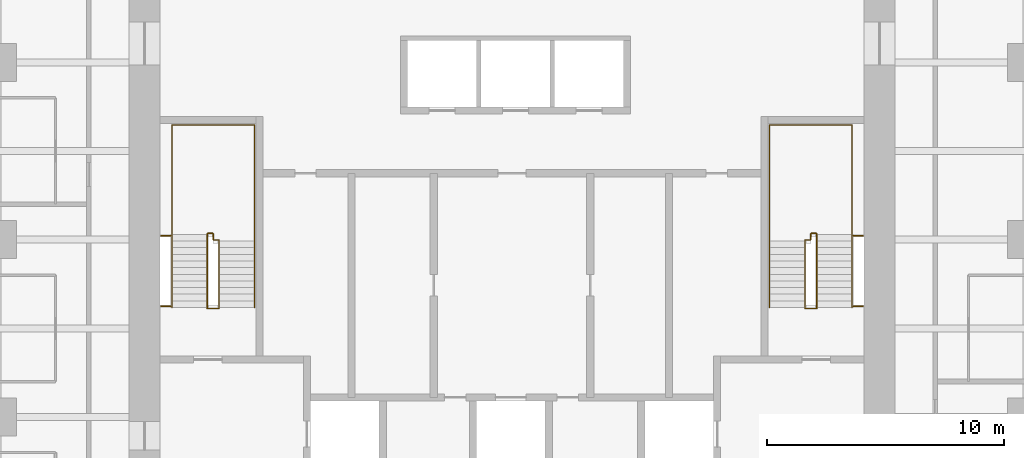
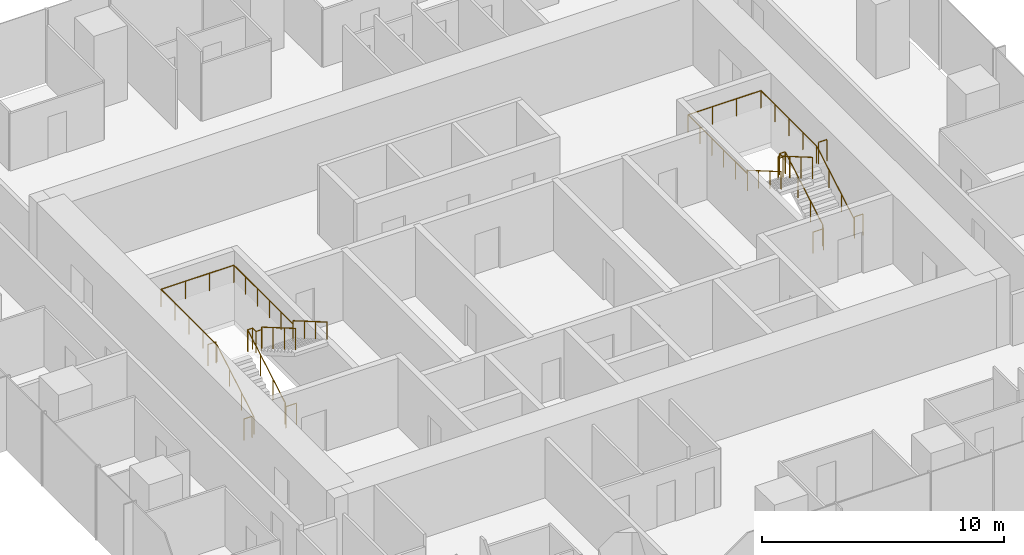
# One storey, part 12 of 12: 8 railings.
"""IFC4 building model written with IfcOpenShell, lengths in metres."""

from ifc_helpers import new_model, si_unit, direction, frame, origin, origin_2d, place, context, subcontext, project, spatial, circle, extrude, material, type_object, element, save


model = new_model("IFC4")

# Units and contexts
model_context = context("Model", 3, precision=1e-05, world=origin(), true_north=direction((0.0, 1.0)))
body_context = subcontext(model_context, "Body", "Model", "MODEL_VIEW")
ifc_project = project(units=[si_unit("LENGTHUNIT", "METRE"), si_unit("AREAUNIT", "SQUARE_METRE"), si_unit("VOLUMEUNIT", "CUBIC_METRE"), si_unit("PLANEANGLEUNIT", "RADIAN"), si_unit("MASSUNIT", "GRAM", prefix="KILO")], contexts=[model_context])

# Site, building, storey
site_placement = place(None, origin())
site = spatial("IfcSite", under=ifc_project, at=site_placement, CompositionType="ELEMENT")
building_placement = place(site_placement, origin())
building = spatial("IfcBuilding", under=site, at=building_placement, Name="Khuree Lantern Residences", CompositionType="ELEMENT")
storey_placement = place(building_placement, frame((0.0, 0.0, 312.0)))
storey = spatial("IfcBuildingStorey", under=building, at=storey_placement, Name="L78", CompositionType="ELEMENT", Elevation=312.0)

# Railings
ifc_material = material(Name="Steel S355", Category="steel")
railing_type_1 = type_object("IfcRailingType", Name="STAIR GUARD G1 1100", PredefinedType="GUARDRAIL", material=ifc_material)
railing_1_placement = place(storey_placement, frame((-12.35009765625, -2.909912109375, 0.0)))
element("IfcRailing", 1, at=railing_1_placement, inside=storey, type_object=railing_type_1, Name="Stair ST1 guard", PredefinedType="GUARDRAIL", context=body_context, shape_type="SweptSolid", body=[
    extrude(circle(Radius=0.02392578125, at=origin_2d()), frame((0.0, 0.0, 1.076171875), z_axis=(-1.0, 0.0, 0.0), x_axis=(0.0, -1.0, 0.0)), (0.0, 0.0, 1.0), 0.5),
    extrude(circle(Radius=0.02392578125, at=origin_2d()), frame((-0.5, 0.0, 1.076171875), z_axis=(0.0, 0.292073035251, 0.95639601739), x_axis=(-1.0, 0.0, 0.0)), (0.0, 0.0, 1.0), 0.17041015625),
    extrude(circle(Radius=0.02392578125, at=origin_2d()), frame((-0.5, 0.0498046875, 1.2392578125), z_axis=(0.0, 0.864176135923, 0.503189433615), x_axis=(-1.0, 0.0, 0.0)), (0.0, 0.0, 1.0), 3.564208984375),
    extrude(circle(Radius=0.02392578125, at=origin_2d()), frame((-0.5, 3.1298828125, 3.03271484375), z_axis=(0.0, 1.0, 0.0), x_axis=(-1.0, 0.0, 0.0)), (0.0, 0.0, 1.0), 0.050048828125),
    extrude(circle(Radius=0.02392578125, at=origin_2d()), frame((-0.5, 3.179931640625, 3.03271484375), z_axis=(1.0, 0.0, 0.0), x_axis=(0.0, 1.0, 0.0)), (0.0, 0.0, 1.0), 0.25),
    extrude(circle(Radius=0.02392578125, at=origin_2d()), frame((-0.25, 3.179931640625, 3.03271484375), z_axis=(0.0, -1.0, 0.0), x_axis=(1.0, 0.0, 0.0)), (0.0, 0.0, 1.0), 0.280029296875),
    extrude(circle(Radius=0.02392578125, at=origin_2d()), frame((-0.25, 2.89990234375, 3.03271484375), z_axis=(1.0, 0.0, 0.0), x_axis=(0.0, 1.0, 0.0)), (0.0, 0.0, 1.0), 0.25),
    extrude(circle(Radius=0.02392578125, at=origin_2d()), frame((0.0, 2.89990234375, 3.03271484375), z_axis=(0.0, -0.293381807449, 0.955995353053), x_axis=(1.0, 0.0, 0.0)), (0.0, 0.0, 1.0), 0.170654296875),
    extrude(circle(Radius=0.02392578125, at=origin_2d()), frame((0.0, 2.849853515625, 3.19580078125), z_axis=(0.0, -0.864180358799, 0.503182181189), x_axis=(1.0, 0.0, 0.0)), (0.0, 0.0, 1.0), 3.240234375),
    extrude(circle(Radius=0.02099609375, at=origin_2d()), origin(), (0.0, 0.0, 1.0), 1.052001953125),
    extrude(circle(Radius=0.02099609375, at=origin_2d()), frame((-0.5, 0.0, 0.0)), (0.0, 0.0, 1.0), 1.052001953125),
    extrude(circle(Radius=0.02099609375, at=origin_2d()), frame((-0.5, 0.0498046875, 0.1630859375)), (0.0, 0.0, 1.0), 1.052001953125),
    extrude(circle(Radius=0.02099609375, at=origin_2d()), frame((-0.5, 1.076416015625, 0.760986328125)), (0.0, 0.0, 1.0), 1.052001953125),
    extrude(circle(Radius=0.02099609375, at=origin_2d()), frame((-0.5, 2.103271484375, 1.358642578125)), (0.0, 0.0, 1.0), 1.052001953125),
    extrude(circle(Radius=0.02099609375, at=origin_2d()), frame((-0.5, 3.1298828125, 1.95654296875)), (0.0, 0.0, 1.0), 1.052001953125),
    extrude(circle(Radius=0.02099609375, at=origin_2d()), frame((-0.5, 3.179931640625, 1.95654296875)), (0.0, 0.0, 1.0), 1.052001953125),
    extrude(circle(Radius=0.02099609375, at=origin_2d()), frame((-0.25, 3.179931640625, 1.95654296875)), (0.0, 0.0, 1.0), 1.052001953125),
    extrude(circle(Radius=0.02099609375, at=origin_2d()), frame((-0.25, 2.89990234375, 1.95654296875)), (0.0, 0.0, 1.0), 1.052001953125),
    extrude(circle(Radius=0.02099609375, at=origin_2d()), frame((0.0, 2.89990234375, 1.95654296875)), (0.0, 0.0, 1.0), 1.052001953125),
    extrude(circle(Radius=0.02099609375, at=origin_2d()), frame((0.0, 2.849853515625, 2.11962890625)), (0.0, 0.0, 1.0), 1.052001953125),
    extrude(circle(Radius=0.02099609375, at=origin_2d()), frame((0.0, 1.91650390625, 2.6630859375)), (0.0, 0.0, 1.0), 1.052001953125),
    extrude(circle(Radius=0.02099609375, at=origin_2d()), frame((0.0, 0.983154296875, 3.20654296875)), (0.0, 0.0, 1.0), 1.052001953125),
    extrude(circle(Radius=0.02099609375, at=origin_2d()), frame((0.0, 0.0498046875, 3.75)), (0.0, 0.0, 1.0), 1.052001953125),
])
for number, where, name in (
    (2, (-14.800048828125, -2.81005859375, 0.0), "Stair ST1 landing slot guard"),
    (3, (-14.800048828125, 0.169921875, 1.95654296875), "Stair ST1 landing slot guard"),
):
    element("IfcRailing", number, at=place(storey_placement, frame(where)), inside=storey, type_object=railing_type_1, Name=name, PredefinedType="GUARDRAIL", context=body_context, shape_type="SweptSolid", body=[
        extrude(circle(Radius=0.02392578125, at=origin_2d()), frame((0.0, 0.0, 1.076171875), z_axis=(1.0, 0.0, 0.0), x_axis=(0.0, 1.0, 0.0)), (0.0, 0.0, 1.0), 0.400146484375),
        extrude(circle(Radius=0.02099609375, at=origin_2d()), origin(), (0.0, 0.0, 1.0), 1.052001953125),
        extrude(circle(Radius=0.02099609375, at=origin_2d()), frame((0.400146484375, 0.0, 0.0)), (0.0, 0.0, 1.0), 1.052001953125),
    ])
railing_2_placement = place(storey_placement, frame((12.35009765625, -2.909912109375, 0.0)))
element("IfcRailing", 4, at=railing_2_placement, inside=storey, type_object=railing_type_1, Name="Stair ST2 guard", PredefinedType="GUARDRAIL", context=body_context, shape_type="SweptSolid", body=[
    extrude(circle(Radius=0.02392578125, at=origin_2d()), frame((0.0, 0.0, 1.076171875), z_axis=(1.0, 0.0, 0.0), x_axis=(0.0, 1.0, 0.0)), (0.0, 0.0, 1.0), 0.5),
    extrude(circle(Radius=0.02392578125, at=origin_2d()), frame((0.5, 0.0, 1.076171875), z_axis=(0.0, 0.292073035251, 0.95639601739), x_axis=(-1.0, 0.0, 0.0)), (0.0, 0.0, 1.0), 0.17041015625),
    extrude(circle(Radius=0.02392578125, at=origin_2d()), frame((0.5, 0.0498046875, 1.2392578125), z_axis=(0.0, 0.864176135923, 0.503189433615), x_axis=(-1.0, 0.0, 0.0)), (0.0, 0.0, 1.0), 3.564208984375),
    extrude(circle(Radius=0.02392578125, at=origin_2d()), frame((0.5, 3.1298828125, 3.03271484375), z_axis=(0.0, 1.0, 0.0), x_axis=(-1.0, 0.0, 0.0)), (0.0, 0.0, 1.0), 0.050048828125),
    extrude(circle(Radius=0.02392578125, at=origin_2d()), frame((0.5, 3.179931640625, 3.03271484375), z_axis=(-1.0, 0.0, 0.0), x_axis=(0.0, -1.0, 0.0)), (0.0, 0.0, 1.0), 0.25),
    extrude(circle(Radius=0.02392578125, at=origin_2d()), frame((0.25, 3.179931640625, 3.03271484375), z_axis=(0.0, -1.0, 0.0), x_axis=(1.0, 0.0, 0.0)), (0.0, 0.0, 1.0), 0.280029296875),
    extrude(circle(Radius=0.02392578125, at=origin_2d()), frame((0.25, 2.89990234375, 3.03271484375), z_axis=(-1.0, 0.0, 0.0), x_axis=(0.0, -1.0, 0.0)), (0.0, 0.0, 1.0), 0.25),
    extrude(circle(Radius=0.02392578125, at=origin_2d()), frame((0.0, 2.89990234375, 3.03271484375), z_axis=(0.0, -0.293381807449, 0.955995353053), x_axis=(1.0, 0.0, 0.0)), (0.0, 0.0, 1.0), 0.170654296875),
    extrude(circle(Radius=0.02392578125, at=origin_2d()), frame((0.0, 2.849853515625, 3.19580078125), z_axis=(0.0, -0.864180358799, 0.503182181189), x_axis=(1.0, 0.0, 0.0)), (0.0, 0.0, 1.0), 3.240234375),
    extrude(circle(Radius=0.02099609375, at=origin_2d()), origin(), (0.0, 0.0, 1.0), 1.052001953125),
    extrude(circle(Radius=0.02099609375, at=origin_2d()), frame((0.5, 0.0, 0.0)), (0.0, 0.0, 1.0), 1.052001953125),
    extrude(circle(Radius=0.02099609375, at=origin_2d()), frame((0.5, 0.0498046875, 0.1630859375)), (0.0, 0.0, 1.0), 1.052001953125),
    extrude(circle(Radius=0.02099609375, at=origin_2d()), frame((0.5, 1.076416015625, 0.760986328125)), (0.0, 0.0, 1.0), 1.052001953125),
    extrude(circle(Radius=0.02099609375, at=origin_2d()), frame((0.5, 2.103271484375, 1.358642578125)), (0.0, 0.0, 1.0), 1.052001953125),
    extrude(circle(Radius=0.02099609375, at=origin_2d()), frame((0.5, 3.1298828125, 1.95654296875)), (0.0, 0.0, 1.0), 1.052001953125),
    extrude(circle(Radius=0.02099609375, at=origin_2d()), frame((0.5, 3.179931640625, 1.95654296875)), (0.0, 0.0, 1.0), 1.052001953125),
    extrude(circle(Radius=0.02099609375, at=origin_2d()), frame((0.25, 3.179931640625, 1.95654296875)), (0.0, 0.0, 1.0), 1.052001953125),
    extrude(circle(Radius=0.02099609375, at=origin_2d()), frame((0.25, 2.89990234375, 1.95654296875)), (0.0, 0.0, 1.0), 1.052001953125),
    extrude(circle(Radius=0.02099609375, at=origin_2d()), frame((0.0, 2.89990234375, 1.95654296875)), (0.0, 0.0, 1.0), 1.052001953125),
    extrude(circle(Radius=0.02099609375, at=origin_2d()), frame((0.0, 2.849853515625, 2.11962890625)), (0.0, 0.0, 1.0), 1.052001953125),
    extrude(circle(Radius=0.02099609375, at=origin_2d()), frame((0.0, 1.91650390625, 2.6630859375)), (0.0, 0.0, 1.0), 1.052001953125),
    extrude(circle(Radius=0.02099609375, at=origin_2d()), frame((0.0, 0.983154296875, 3.20654296875)), (0.0, 0.0, 1.0), 1.052001953125),
    extrude(circle(Radius=0.02099609375, at=origin_2d()), frame((0.0, 0.0498046875, 3.75)), (0.0, 0.0, 1.0), 1.052001953125),
])
for number, where, name in (
    (5, (14.800048828125, -2.81005859375, 0.0), "Stair ST2 landing slot guard"),
    (6, (14.800048828125, 0.169921875, 1.95654296875), "Stair ST2 landing slot guard"),
):
    element("IfcRailing", number, at=place(storey_placement, frame(where)), inside=storey, type_object=railing_type_1, Name=name, PredefinedType="GUARDRAIL", context=body_context, shape_type="SweptSolid", body=[
        extrude(circle(Radius=0.02392578125, at=origin_2d()), frame((0.0, 0.0, 1.076171875), z_axis=(-1.0, 0.0, 0.0), x_axis=(0.0, -1.0, 0.0)), (0.0, 0.0, 1.0), 0.400146484375),
        extrude(circle(Radius=0.02099609375, at=origin_2d()), origin(), (0.0, 0.0, 1.0), 1.052001953125),
        extrude(circle(Radius=0.02099609375, at=origin_2d()), frame((-0.400146484375, 0.0, 0.0)), (0.0, 0.0, 1.0), 1.052001953125),
    ])
railing_type_2 = type_object("IfcRailingType", Name="STAIR HANDRAIL H1 900", PredefinedType="HANDRAIL", material=ifc_material)
railing_3_placement = place(storey_placement, frame((-14.340087890625, -2.860107421875, 0.1630859375)))
element("IfcRailing", 7, at=railing_3_placement, inside=storey, type_object=railing_type_2, Name="Stair ST1 handrail", PredefinedType="HANDRAIL", context=body_context, shape_type="SweptSolid", body=[
    extrude(circle(Radius=0.02392578125, at=origin_2d()), frame((0.0, 0.0, 0.8759765625), z_axis=(0.0, 0.864176135923, 0.503189433615), x_axis=(-1.0, 0.0, 0.0)), (0.0, 0.0, 1.0), 3.564208984375),
    extrude(circle(Radius=0.02392578125, at=origin_2d()), frame((0.0, 3.080078125, 2.66943359375), z_axis=(0.0, 1.0, 0.0), x_axis=(-1.0, 0.0, 0.0)), (0.0, 0.0, 1.0), 4.6201171875),
    extrude(circle(Radius=0.02392578125, at=origin_2d()), frame((0.0, 7.7001953125, 2.66943359375), z_axis=(1.0, 0.0, 0.0), x_axis=(0.0, 1.0, 0.0)), (0.0, 0.0, 1.0), 3.47998046875),
    extrude(circle(Radius=0.02392578125, at=origin_2d()), frame((3.47998046875, 7.7001953125, 2.66943359375), z_axis=(0.0, -1.0, 0.0), x_axis=(1.0, 0.0, 0.0)), (0.0, 0.0, 1.0), 4.900146484375),
    extrude(circle(Radius=0.02392578125, at=origin_2d()), frame((3.47998046875, 2.800048828125, 2.66943359375), z_axis=(0.0, 0.0, 1.0), x_axis=(1.0, 0.0, 0.0)), (0.0, 0.0, 1.0), 0.1630859375),
    extrude(circle(Radius=0.02392578125, at=origin_2d()), frame((3.47998046875, 2.800048828125, 2.83251953125), z_axis=(0.0, -0.864180358799, 0.503182181189), x_axis=(1.0, 0.0, 0.0)), (0.0, 0.0, 1.0), 3.240234375),
    extrude(circle(Radius=0.02099609375, at=origin_2d()), origin(), (0.0, 0.0, 1.0), 0.851806640625),
    extrude(circle(Radius=0.02099609375, at=origin_2d()), frame((0.0, 1.026611328125, 0.597900390625)), (0.0, 0.0, 1.0), 0.851806640625),
    extrude(circle(Radius=0.02099609375, at=origin_2d()), frame((0.0, 2.053466796875, 1.195556640625)), (0.0, 0.0, 1.0), 0.851806640625),
    extrude(circle(Radius=0.02099609375, at=origin_2d()), frame((0.0, 3.080078125, 1.79345703125)), (0.0, 0.0, 1.0), 0.851806640625),
    extrude(circle(Radius=0.02099609375, at=origin_2d()), frame((0.0, 4.235107421875, 1.79345703125)), (0.0, 0.0, 1.0), 0.851806640625),
    extrude(circle(Radius=0.02099609375, at=origin_2d()), frame((0.0, 5.39013671875, 1.79345703125)), (0.0, 0.0, 1.0), 0.851806640625),
    extrude(circle(Radius=0.02099609375, at=origin_2d()), frame((0.0, 6.545166015625, 1.79345703125)), (0.0, 0.0, 1.0), 0.851806640625),
    extrude(circle(Radius=0.02099609375, at=origin_2d()), frame((0.0, 7.7001953125, 1.79345703125)), (0.0, 0.0, 1.0), 0.851806640625),
    extrude(circle(Radius=0.02099609375, at=origin_2d()), frame((1.159912109375, 7.7001953125, 1.79345703125)), (0.0, 0.0, 1.0), 0.851806640625),
    extrude(circle(Radius=0.02099609375, at=origin_2d()), frame((2.320068359375, 7.7001953125, 1.79345703125)), (0.0, 0.0, 1.0), 0.851806640625),
    extrude(circle(Radius=0.02099609375, at=origin_2d()), frame((3.47998046875, 7.7001953125, 1.79345703125)), (0.0, 0.0, 1.0), 0.851806640625),
    extrude(circle(Radius=0.02099609375, at=origin_2d()), frame((3.47998046875, 6.72021484375, 1.79345703125)), (0.0, 0.0, 1.0), 0.851806640625),
    extrude(circle(Radius=0.02099609375, at=origin_2d()), frame((3.47998046875, 5.740234375, 1.79345703125)), (0.0, 0.0, 1.0), 0.851806640625),
    extrude(circle(Radius=0.02099609375, at=origin_2d()), frame((3.47998046875, 4.760009765625, 1.79345703125)), (0.0, 0.0, 1.0), 0.851806640625),
    extrude(circle(Radius=0.02099609375, at=origin_2d()), frame((3.47998046875, 3.780029296875, 1.79345703125)), (0.0, 0.0, 1.0), 0.851806640625),
    extrude(circle(Radius=0.02099609375, at=origin_2d()), frame((3.47998046875, 2.800048828125, 1.79345703125)), (0.0, 0.0, 1.0), 0.851806640625),
    extrude(circle(Radius=0.02099609375, at=origin_2d()), frame((3.47998046875, 2.800048828125, 1.95654296875)), (0.0, 0.0, 1.0), 0.851806640625),
    extrude(circle(Radius=0.02099609375, at=origin_2d()), frame((3.47998046875, 1.86669921875, 2.5)), (0.0, 0.0, 1.0), 0.851806640625),
    extrude(circle(Radius=0.02099609375, at=origin_2d()), frame((3.47998046875, 0.933349609375, 3.04345703125)), (0.0, 0.0, 1.0), 0.851806640625),
    extrude(circle(Radius=0.02099609375, at=origin_2d()), frame((3.47998046875, 0.0, 3.5869140625)), (0.0, 0.0, 1.0), 0.851806640625),
])
railing_4_placement = place(storey_placement, frame((14.340087890625, -2.860107421875, 0.1630859375)))
element("IfcRailing", 8, at=railing_4_placement, inside=storey, type_object=railing_type_2, Name="Stair ST2 handrail", PredefinedType="HANDRAIL", context=body_context, shape_type="SweptSolid", body=[
    extrude(circle(Radius=0.02392578125, at=origin_2d()), frame((0.0, 0.0, 0.8759765625), z_axis=(0.0, 0.864176135923, 0.503189433615), x_axis=(-1.0, 0.0, 0.0)), (0.0, 0.0, 1.0), 3.564208984375),
    extrude(circle(Radius=0.02392578125, at=origin_2d()), frame((0.0, 3.080078125, 2.66943359375), z_axis=(0.0, 1.0, 0.0), x_axis=(-1.0, 0.0, 0.0)), (0.0, 0.0, 1.0), 4.6201171875),
    extrude(circle(Radius=0.02392578125, at=origin_2d()), frame((0.0, 7.7001953125, 2.66943359375), z_axis=(-1.0, 0.0, 0.0), x_axis=(0.0, -1.0, 0.0)), (0.0, 0.0, 1.0), 3.47998046875),
    extrude(circle(Radius=0.02392578125, at=origin_2d()), frame((-3.47998046875, 7.7001953125, 2.66943359375), z_axis=(0.0, -1.0, 0.0), x_axis=(1.0, 0.0, 0.0)), (0.0, 0.0, 1.0), 4.900146484375),
    extrude(circle(Radius=0.02392578125, at=origin_2d()), frame((-3.47998046875, 2.800048828125, 2.66943359375), z_axis=(0.0, 0.0, 1.0), x_axis=(1.0, 0.0, 0.0)), (0.0, 0.0, 1.0), 0.1630859375),
    extrude(circle(Radius=0.02392578125, at=origin_2d()), frame((-3.47998046875, 2.800048828125, 2.83251953125), z_axis=(0.0, -0.864180358799, 0.503182181189), x_axis=(1.0, 0.0, 0.0)), (0.0, 0.0, 1.0), 3.240234375),
    extrude(circle(Radius=0.02099609375, at=origin_2d()), origin(), (0.0, 0.0, 1.0), 0.851806640625),
    extrude(circle(Radius=0.02099609375, at=origin_2d()), frame((0.0, 1.026611328125, 0.597900390625)), (0.0, 0.0, 1.0), 0.851806640625),
    extrude(circle(Radius=0.02099609375, at=origin_2d()), frame((0.0, 2.053466796875, 1.195556640625)), (0.0, 0.0, 1.0), 0.851806640625),
    extrude(circle(Radius=0.02099609375, at=origin_2d()), frame((0.0, 3.080078125, 1.79345703125)), (0.0, 0.0, 1.0), 0.851806640625),
    extrude(circle(Radius=0.02099609375, at=origin_2d()), frame((0.0, 4.235107421875, 1.79345703125)), (0.0, 0.0, 1.0), 0.851806640625),
    extrude(circle(Radius=0.02099609375, at=origin_2d()), frame((0.0, 5.39013671875, 1.79345703125)), (0.0, 0.0, 1.0), 0.851806640625),
    extrude(circle(Radius=0.02099609375, at=origin_2d()), frame((0.0, 6.545166015625, 1.79345703125)), (0.0, 0.0, 1.0), 0.851806640625),
    extrude(circle(Radius=0.02099609375, at=origin_2d()), frame((0.0, 7.7001953125, 1.79345703125)), (0.0, 0.0, 1.0), 0.851806640625),
    extrude(circle(Radius=0.02099609375, at=origin_2d()), frame((-1.159912109375, 7.7001953125, 1.79345703125)), (0.0, 0.0, 1.0), 0.851806640625),
    extrude(circle(Radius=0.02099609375, at=origin_2d()), frame((-2.320068359375, 7.7001953125, 1.79345703125)), (0.0, 0.0, 1.0), 0.851806640625),
    extrude(circle(Radius=0.02099609375, at=origin_2d()), frame((-3.47998046875, 7.7001953125, 1.79345703125)), (0.0, 0.0, 1.0), 0.851806640625),
    extrude(circle(Radius=0.02099609375, at=origin_2d()), frame((-3.47998046875, 6.72021484375, 1.79345703125)), (0.0, 0.0, 1.0), 0.851806640625),
    extrude(circle(Radius=0.02099609375, at=origin_2d()), frame((-3.47998046875, 5.740234375, 1.79345703125)), (0.0, 0.0, 1.0), 0.851806640625),
    extrude(circle(Radius=0.02099609375, at=origin_2d()), frame((-3.47998046875, 4.760009765625, 1.79345703125)), (0.0, 0.0, 1.0), 0.851806640625),
    extrude(circle(Radius=0.02099609375, at=origin_2d()), frame((-3.47998046875, 3.780029296875, 1.79345703125)), (0.0, 0.0, 1.0), 0.851806640625),
    extrude(circle(Radius=0.02099609375, at=origin_2d()), frame((-3.47998046875, 2.800048828125, 1.79345703125)), (0.0, 0.0, 1.0), 0.851806640625),
    extrude(circle(Radius=0.02099609375, at=origin_2d()), frame((-3.47998046875, 2.800048828125, 1.95654296875)), (0.0, 0.0, 1.0), 0.851806640625),
    extrude(circle(Radius=0.02099609375, at=origin_2d()), frame((-3.47998046875, 1.86669921875, 2.5)), (0.0, 0.0, 1.0), 0.851806640625),
    extrude(circle(Radius=0.02099609375, at=origin_2d()), frame((-3.47998046875, 0.933349609375, 3.04345703125)), (0.0, 0.0, 1.0), 0.851806640625),
    extrude(circle(Radius=0.02099609375, at=origin_2d()), frame((-3.47998046875, 0.0, 3.5869140625)), (0.0, 0.0, 1.0), 0.851806640625),
])

save(model, "model.ifc")
